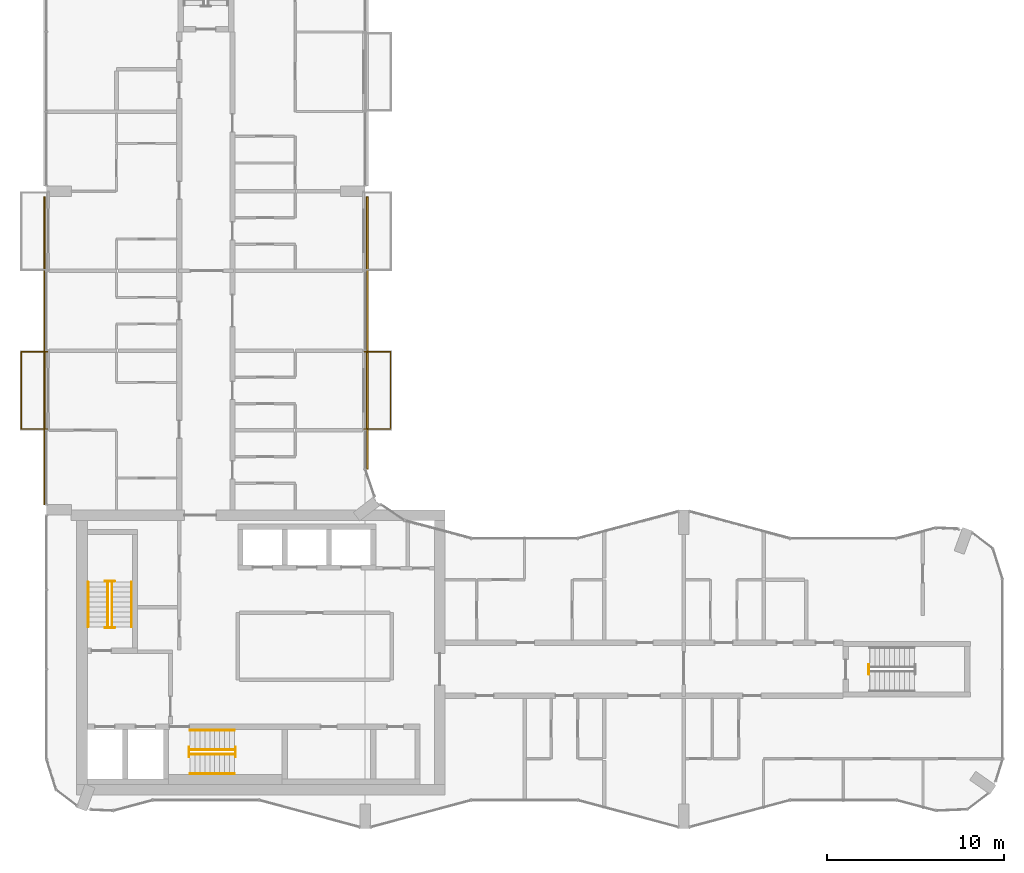
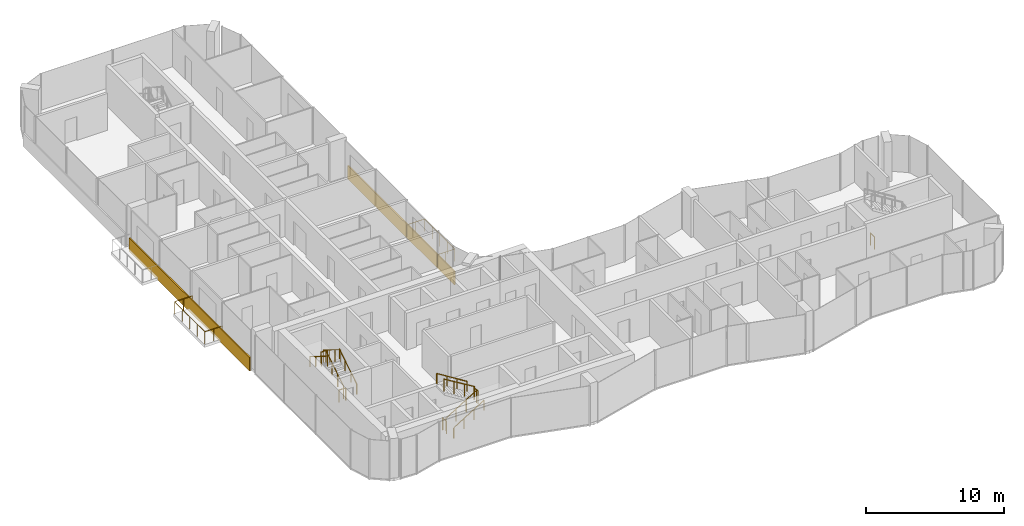
# One storey, part 15 of 17: 15 railings, 2 coverings.
"""IFC4 building model written with IfcOpenShell, lengths in metres."""

from ifc_helpers import new_model, si_unit, direction, frame, origin, origin_2d, place, context, subcontext, project, spatial, rectangle, circle, extrude, material, layer, layer_set, type_object, element, save


model = new_model("IFC4")

# Units and contexts
model_context = context("Model", 3, precision=1e-05, world=origin(), true_north=direction((0.0, 1.0)))
body_context = subcontext(model_context, "Body", "Model", "MODEL_VIEW")
ifc_project = project(units=[si_unit("LENGTHUNIT", "METRE"), si_unit("AREAUNIT", "SQUARE_METRE"), si_unit("VOLUMEUNIT", "CUBIC_METRE"), si_unit("PLANEANGLEUNIT", "RADIAN"), si_unit("MASSUNIT", "GRAM", prefix="KILO")], contexts=[model_context])

# Site, building, storey
site_placement = place(None, origin())
site = spatial("IfcSite", under=ifc_project, at=site_placement, CompositionType="ELEMENT")
building_placement = place(site_placement, origin())
building = spatial("IfcBuilding", under=site, at=building_placement, Name="Plateau Cross Towers", CompositionType="ELEMENT")
storey_placement = place(building_placement, frame((0.0, 0.0, 146.39990234375)))
storey = spatial("IfcBuildingStorey", under=building, at=storey_placement, Name="L37", CompositionType="ELEMENT", Elevation=146.39990234375)

# Railings
ifc_material_1 = material(Name="Stainless steel and toughened glass", Category="steel")
railing_type_1 = type_object("IfcRailingType", Name="Glass balustrade guard 1100", PredefinedType="GUARDRAIL", material=ifc_material_1)
railing_1_placement = place(storey_placement, frame((0.050048828125, 22.570068359375, 0.0)))
element("IfcRailing", 1, at=railing_1_placement, inside=storey, type_object=railing_type_1, Name="Guard guard1", PredefinedType="GUARDRAIL", context=body_context, shape_type="SweptSolid", body=[
    extrude(circle(Radius=0.02392578125, at=origin_2d()), frame((0.0, 0.0, 1.076171875), z_axis=(-1.0, 0.0, 0.0), x_axis=(0.0, -1.0, 0.0)), (0.0, 0.0, 1.0), 1.47998046875),
    extrude(circle(Radius=0.02392578125, at=origin_2d()), frame((-1.47998046875, 0.0, 1.076171875), z_axis=(0.0, 1.0, 0.0), x_axis=(-1.0, 0.0, 0.0)), (0.0, 0.0, 1.0), 4.35986328125),
    extrude(circle(Radius=0.02392578125, at=origin_2d()), frame((-1.47998046875, 4.35986328125, 1.076171875), z_axis=(1.0, 0.0, 0.0), x_axis=(0.0, 1.0, 0.0)), (0.0, 0.0, 1.0), 1.47998046875),
    extrude(circle(Radius=0.02099609375, at=origin_2d()), origin(), (0.0, 0.0, 1.0), 1.052001953125),
    extrude(circle(Radius=0.02099609375, at=origin_2d()), frame((-0.739990234375, 0.0, 0.0)), (0.0, 0.0, 1.0), 1.052001953125),
    extrude(circle(Radius=0.02099609375, at=origin_2d()), frame((-1.47998046875, 0.0, 0.0)), (0.0, 0.0, 1.0), 1.052001953125),
    extrude(circle(Radius=0.02099609375, at=origin_2d()), frame((-1.47998046875, 1.08984375, 0.0)), (0.0, 0.0, 1.0), 1.052001953125),
    extrude(circle(Radius=0.02099609375, at=origin_2d()), frame((-1.47998046875, 2.179931640625, 0.0)), (0.0, 0.0, 1.0), 1.052001953125),
    extrude(circle(Radius=0.02099609375, at=origin_2d()), frame((-1.47998046875, 3.27001953125, 0.0)), (0.0, 0.0, 1.0), 1.052001953125),
    extrude(circle(Radius=0.02099609375, at=origin_2d()), frame((-1.47998046875, 4.35986328125, 0.0)), (0.0, 0.0, 1.0), 1.052001953125),
    extrude(circle(Radius=0.02099609375, at=origin_2d()), frame((-0.739990234375, 4.35986328125, 0.0)), (0.0, 0.0, 1.0), 1.052001953125),
    extrude(circle(Radius=0.02099609375, at=origin_2d()), frame((0.0, 4.35986328125, 0.0)), (0.0, 0.0, 1.0), 1.052001953125),
])
railing_2_placement = place(storey_placement, frame((17.949951171875, 26.929931640625, 0.0)))
element("IfcRailing", 2, at=railing_2_placement, inside=storey, type_object=railing_type_1, Name="Guard guard1", PredefinedType="GUARDRAIL", context=body_context, shape_type="SweptSolid", body=[
    extrude(circle(Radius=0.02392578125, at=origin_2d()), frame((0.0, 0.0, 1.076171875), z_axis=(1.0, 0.0, 0.0), x_axis=(0.0, 1.0, 0.0)), (0.0, 0.0, 1.0), 1.47998046875),
    extrude(circle(Radius=0.02392578125, at=origin_2d()), frame((1.47998046875, 0.0, 1.076171875), z_axis=(0.0, -1.0, 0.0), x_axis=(1.0, 0.0, 0.0)), (0.0, 0.0, 1.0), 4.35986328125),
    extrude(circle(Radius=0.02392578125, at=origin_2d()), frame((1.47998046875, -4.35986328125, 1.076171875), z_axis=(-1.0, 0.0, 0.0), x_axis=(0.0, -1.0, 0.0)), (0.0, 0.0, 1.0), 1.47998046875),
    extrude(circle(Radius=0.02099609375, at=origin_2d()), origin(), (0.0, 0.0, 1.0), 1.052001953125),
    extrude(circle(Radius=0.02099609375, at=origin_2d()), frame((0.739990234375, 0.0, 0.0)), (0.0, 0.0, 1.0), 1.052001953125),
    extrude(circle(Radius=0.02099609375, at=origin_2d()), frame((1.47998046875, 0.0, 0.0)), (0.0, 0.0, 1.0), 1.052001953125),
    extrude(circle(Radius=0.02099609375, at=origin_2d()), frame((1.47998046875, -1.08984375, 0.0)), (0.0, 0.0, 1.0), 1.052001953125),
    extrude(circle(Radius=0.02099609375, at=origin_2d()), frame((1.47998046875, -2.179931640625, 0.0)), (0.0, 0.0, 1.0), 1.052001953125),
    extrude(circle(Radius=0.02099609375, at=origin_2d()), frame((1.47998046875, -3.27001953125, 0.0)), (0.0, 0.0, 1.0), 1.052001953125),
    extrude(circle(Radius=0.02099609375, at=origin_2d()), frame((1.47998046875, -4.35986328125, 0.0)), (0.0, 0.0, 1.0), 1.052001953125),
    extrude(circle(Radius=0.02099609375, at=origin_2d()), frame((0.739990234375, -4.35986328125, 0.0)), (0.0, 0.0, 1.0), 1.052001953125),
    extrude(circle(Radius=0.02099609375, at=origin_2d()), frame((0.0, -4.35986328125, 0.0)), (0.0, 0.0, 1.0), 1.052001953125),
])
railing_type_2 = type_object("IfcRailingType", Name="RL-GUARD-1100", PredefinedType="GUARDRAIL", material=ifc_material_1)
railing_3_placement = place(storey_placement, frame((3.699951171875, 11.39990234375, 0.175048828125)))
element("IfcRailing", 3, at=railing_3_placement, inside=storey, type_object=railing_type_2, Name="L37 ST-1 stair guard 1", PredefinedType="GUARDRAIL", context=body_context, shape_type="SweptSolid", body=[
    extrude(circle(Radius=0.02392578125, at=origin_2d()), frame((0.0, 0.0, 1.076171875), z_axis=(0.0, 0.848007534815, 0.529984170421), x_axis=(-1.0, 0.0, 0.0)), (0.0, 0.0, 1.0), 2.9716796875),
    extrude(circle(Radius=0.02099609375, at=origin_2d()), origin(), (0.0, 0.0, 1.0), 1.052001953125),
    extrude(circle(Radius=0.02099609375, at=origin_2d()), frame((0.0, 0.840087890625, 0.52490234375)), (0.0, 0.0, 1.0), 1.052001953125),
    extrude(circle(Radius=0.02099609375, at=origin_2d()), frame((0.0, 1.679931640625, 1.050048828125)), (0.0, 0.0, 1.0), 1.052001953125),
    extrude(circle(Radius=0.02099609375, at=origin_2d()), frame((0.0, 2.52001953125, 1.574951171875)), (0.0, 0.0, 1.0), 1.052001953125),
])
railing_4_placement = place(storey_placement, frame((3.85009765625, 13.969970703125, 1.75)))
element("IfcRailing", 4, at=railing_4_placement, inside=storey, type_object=railing_type_2, Name="L37 ST-1 stair guard 2", PredefinedType="GUARDRAIL", context=body_context, shape_type="SweptSolid", body=[
    extrude(circle(Radius=0.02392578125, at=origin_2d()), frame((0.0, 0.0, 1.076171875), z_axis=(-1.0, 0.0, 0.0), x_axis=(0.0, -1.0, 0.0)), (0.0, 0.0, 1.0), 0.550048828125),
    extrude(circle(Radius=0.02099609375, at=origin_2d()), origin(), (0.0, 0.0, 1.0), 1.052001953125),
    extrude(circle(Radius=0.02099609375, at=origin_2d()), frame((-0.550048828125, 0.0, 0.0)), (0.0, 0.0, 1.0), 1.052001953125),
])
railing_5_placement = place(storey_placement, frame((3.449951171875, 13.919921875, 1.925048828125)))
element("IfcRailing", 5, at=railing_5_placement, inside=storey, type_object=railing_type_2, Name="L37 ST-1 stair guard 3", PredefinedType="GUARDRAIL", context=body_context, shape_type="SweptSolid", body=[
    extrude(circle(Radius=0.02392578125, at=origin_2d()), frame((0.0, 0.0, 1.076171875), z_axis=(0.0, -0.852616386126, 0.522537365276), x_axis=(1.0, 0.0, 0.0)), (0.0, 0.0, 1.0), 3.01416015625),
    extrude(circle(Radius=0.02099609375, at=origin_2d()), origin(), (0.0, 0.0, 1.0), 1.052001953125),
    extrude(circle(Radius=0.02099609375, at=origin_2d()), frame((0.0, -0.856689453125, 0.52490234375)), (0.0, 0.0, 1.0), 1.052001953125),
    extrude(circle(Radius=0.02099609375, at=origin_2d()), frame((0.0, -1.713134765625, 1.050048828125)), (0.0, 0.0, 1.0), 1.052001953125),
    extrude(circle(Radius=0.02099609375, at=origin_2d()), frame((0.0, -2.56982421875, 1.574951171875)), (0.0, 0.0, 1.0), 1.052001953125),
])
railing_6_placement = place(storey_placement, frame((3.85009765625, 11.35009765625, 0.0)))
element("IfcRailing", 6, at=railing_6_placement, inside=storey, type_object=railing_type_2, Name="L37 ST-1 stair guard 4", PredefinedType="GUARDRAIL", context=body_context, shape_type="SweptSolid", body=[
    extrude(circle(Radius=0.02392578125, at=origin_2d()), frame((0.0, 0.0, 1.076171875), z_axis=(-1.0, 0.0, 0.0), x_axis=(0.0, -1.0, 0.0)), (0.0, 0.0, 1.0), 0.550048828125),
    extrude(circle(Radius=0.02099609375, at=origin_2d()), origin(), (0.0, 0.0, 1.0), 1.052001953125),
    extrude(circle(Radius=0.02099609375, at=origin_2d()), frame((-0.550048828125, 0.0, 0.0)), (0.0, 0.0, 1.0), 1.052001953125),
])
railing_7_placement = place(storey_placement, frame((8.10009765625, 4.199951171875, 0.175048828125)))
element("IfcRailing", 7, at=railing_7_placement, inside=storey, type_object=railing_type_2, Name="L37 ST-2 stair guard 1", PredefinedType="GUARDRAIL", context=body_context, shape_type="SweptSolid", body=[
    extrude(circle(Radius=0.02392578125, at=origin_2d()), frame((0.0, 0.0, 1.076171875), z_axis=(0.848007534815, 0.0, 0.529984170421), x_axis=(0.0, 1.0, 0.0)), (0.0, 0.0, 1.0), 2.9716796875),
    extrude(circle(Radius=0.02099609375, at=origin_2d()), origin(), (0.0, 0.0, 1.0), 1.052001953125),
    extrude(circle(Radius=0.02099609375, at=origin_2d()), frame((0.840087890625, 0.0, 0.52490234375)), (0.0, 0.0, 1.0), 1.052001953125),
    extrude(circle(Radius=0.02099609375, at=origin_2d()), frame((1.679931640625, 0.0, 1.050048828125)), (0.0, 0.0, 1.0), 1.052001953125),
    extrude(circle(Radius=0.02099609375, at=origin_2d()), frame((2.52001953125, 0.0, 1.574951171875)), (0.0, 0.0, 1.0), 1.052001953125),
])
railing_8_placement = place(storey_placement, frame((10.669921875, 4.050048828125, 1.75)))
element("IfcRailing", 8, at=railing_8_placement, inside=storey, type_object=railing_type_2, Name="L37 ST-2 stair guard 2", PredefinedType="GUARDRAIL", context=body_context, shape_type="SweptSolid", body=[
    extrude(circle(Radius=0.02392578125, at=origin_2d()), frame((0.0, 0.0, 1.076171875), z_axis=(0.0, 1.0, 0.0), x_axis=(-1.0, 0.0, 0.0)), (0.0, 0.0, 1.0), 0.550048828125),
    extrude(circle(Radius=0.02099609375, at=origin_2d()), origin(), (0.0, 0.0, 1.0), 1.052001953125),
    extrude(circle(Radius=0.02099609375, at=origin_2d()), frame((0.0, 0.550048828125, 0.0)), (0.0, 0.0, 1.0), 1.052001953125),
])
railing_9_placement = place(storey_placement, frame((10.6201171875, 4.449951171875, 1.925048828125)))
element("IfcRailing", 9, at=railing_9_placement, inside=storey, type_object=railing_type_2, Name="L37 ST-2 stair guard 3", PredefinedType="GUARDRAIL", context=body_context, shape_type="SweptSolid", body=[
    extrude(circle(Radius=0.02392578125, at=origin_2d()), frame((0.0, 0.0, 1.076171875), z_axis=(-0.852638500773, 0.0, 0.522501279423), x_axis=(0.0, -1.0, 0.0)), (0.0, 0.0, 1.0), 3.01416015625),
    extrude(circle(Radius=0.02099609375, at=origin_2d()), origin(), (0.0, 0.0, 1.0), 1.052001953125),
    extrude(circle(Radius=0.02099609375, at=origin_2d()), frame((-0.856689453125, 0.0, 0.52490234375)), (0.0, 0.0, 1.0), 1.052001953125),
    extrude(circle(Radius=0.02099609375, at=origin_2d()), frame((-1.71337890625, 0.0, 1.050048828125)), (0.0, 0.0, 1.0), 1.052001953125),
    extrude(circle(Radius=0.02099609375, at=origin_2d()), frame((-2.570068359375, 0.0, 1.574951171875)), (0.0, 0.0, 1.0), 1.052001953125),
])
railing_10_placement = place(storey_placement, frame((8.050048828125, 4.050048828125, 0.0)))
element("IfcRailing", 10, at=railing_10_placement, inside=storey, type_object=railing_type_2, Name="L37 ST-2 stair guard 4", PredefinedType="GUARDRAIL", context=body_context, shape_type="SweptSolid", body=[
    extrude(circle(Radius=0.02392578125, at=origin_2d()), frame((0.0, 0.0, 1.076171875), z_axis=(0.0, 1.0, 0.0), x_axis=(-1.0, 0.0, 0.0)), (0.0, 0.0, 1.0), 0.550048828125),
    extrude(circle(Radius=0.02099609375, at=origin_2d()), origin(), (0.0, 0.0, 1.0), 1.052001953125),
    extrude(circle(Radius=0.02099609375, at=origin_2d()), frame((0.0, 0.550048828125, 0.0)), (0.0, 0.0, 1.0), 1.052001953125),
])
railing_11_placement = place(storey_placement, frame((46.449951171875, 8.72509765625, 0.0)))
element("IfcRailing", 11, at=railing_11_placement, inside=storey, type_object=railing_type_2, Name="L37 ES-E stair guard 4", PredefinedType="GUARDRAIL", context=body_context, shape_type="SweptSolid", body=[
    extrude(circle(Radius=0.02392578125, at=origin_2d()), frame((0.0, 0.0, 1.076171875), z_axis=(0.0, 1.0, 0.0), x_axis=(-1.0, 0.0, 0.0)), (0.0, 0.0, 1.0), 0.5498046875),
    extrude(circle(Radius=0.02099609375, at=origin_2d()), origin(), (0.0, 0.0, 1.0), 1.052001953125),
    extrude(circle(Radius=0.02099609375, at=origin_2d()), frame((0.0, 0.5498046875, 0.0)), (0.0, 0.0, 1.0), 1.052001953125),
])
ifc_material_2 = material(Name="Black anodised aluminium", Category="aluminium")
railing_type_3 = type_object("IfcRailingType", Name="RL-HANDRAIL-900", PredefinedType="HANDRAIL", material=ifc_material_2)
railing_12_placement = place(storey_placement, frame((4.800048828125, 11.39990234375, 0.175048828125)))
element("IfcRailing", 12, at=railing_12_placement, inside=storey, type_object=railing_type_3, Name="L37 ST-1 stair handrail 1", PredefinedType="HANDRAIL", context=body_context, shape_type="SweptSolid", body=[
    extrude(circle(Radius=0.02392578125, at=origin_2d()), frame((0.0, 0.0, 0.8759765625), z_axis=(0.0, 0.848007534815, 0.529984170421), x_axis=(-1.0, 0.0, 0.0)), (0.0, 0.0, 1.0), 2.9716796875),
    extrude(circle(Radius=0.02099609375, at=origin_2d()), origin(), (0.0, 0.0, 1.0), 0.851806640625),
    extrude(circle(Radius=0.02099609375, at=origin_2d()), frame((0.0, 0.840087890625, 0.52490234375)), (0.0, 0.0, 1.0), 0.851806640625),
    extrude(circle(Radius=0.02099609375, at=origin_2d()), frame((0.0, 1.679931640625, 1.050048828125)), (0.0, 0.0, 1.0), 0.851806640625),
    extrude(circle(Radius=0.02099609375, at=origin_2d()), frame((0.0, 2.52001953125, 1.574951171875)), (0.0, 0.0, 1.0), 0.851806640625),
])
railing_13_placement = place(storey_placement, frame((2.35009765625, 13.919921875, 1.925048828125)))
element("IfcRailing", 13, at=railing_13_placement, inside=storey, type_object=railing_type_3, Name="L37 ST-1 stair handrail 2", PredefinedType="HANDRAIL", context=body_context, shape_type="SweptSolid", body=[
    extrude(circle(Radius=0.02392578125, at=origin_2d()), frame((0.0, 0.0, 0.8759765625), z_axis=(0.0, -0.848007534815, 0.529984170421), x_axis=(1.0, 0.0, 0.0)), (0.0, 0.0, 1.0), 2.9716796875),
    extrude(circle(Radius=0.02099609375, at=origin_2d()), origin(), (0.0, 0.0, 1.0), 0.851806640625),
    extrude(circle(Radius=0.02099609375, at=origin_2d()), frame((0.0, -0.840087890625, 0.52490234375)), (0.0, 0.0, 1.0), 0.851806640625),
    extrude(circle(Radius=0.02099609375, at=origin_2d()), frame((0.0, -1.679931640625, 1.050048828125)), (0.0, 0.0, 1.0), 0.851806640625),
    extrude(circle(Radius=0.02099609375, at=origin_2d()), frame((0.0, -2.52001953125, 1.574951171875)), (0.0, 0.0, 1.0), 0.851806640625),
])
railing_14_placement = place(storey_placement, frame((8.10009765625, 3.10009765625, 0.175048828125)))
element("IfcRailing", 14, at=railing_14_placement, inside=storey, type_object=railing_type_3, Name="L37 ST-2 stair handrail 1", PredefinedType="HANDRAIL", context=body_context, shape_type="SweptSolid", body=[
    extrude(circle(Radius=0.02392578125, at=origin_2d()), frame((0.0, 0.0, 0.8759765625), z_axis=(0.848007534815, 0.0, 0.529984170421), x_axis=(0.0, 1.0, 0.0)), (0.0, 0.0, 1.0), 2.9716796875),
    extrude(circle(Radius=0.02099609375, at=origin_2d()), origin(), (0.0, 0.0, 1.0), 0.851806640625),
    extrude(circle(Radius=0.02099609375, at=origin_2d()), frame((0.840087890625, 0.0, 0.52490234375)), (0.0, 0.0, 1.0), 0.851806640625),
    extrude(circle(Radius=0.02099609375, at=origin_2d()), frame((1.679931640625, 0.0, 1.050048828125)), (0.0, 0.0, 1.0), 0.851806640625),
    extrude(circle(Radius=0.02099609375, at=origin_2d()), frame((2.52001953125, 0.0, 1.574951171875)), (0.0, 0.0, 1.0), 0.851806640625),
])
railing_15_placement = place(storey_placement, frame((10.6201171875, 5.550048828125, 1.925048828125)))
element("IfcRailing", 15, at=railing_15_placement, inside=storey, type_object=railing_type_3, Name="L37 ST-2 stair handrail 2", PredefinedType="HANDRAIL", context=body_context, shape_type="SweptSolid", body=[
    extrude(circle(Radius=0.02392578125, at=origin_2d()), frame((0.0, 0.0, 0.8759765625), z_axis=(-0.848007534815, 0.0, 0.529984170421), x_axis=(0.0, -1.0, 0.0)), (0.0, 0.0, 1.0), 2.9716796875),
    extrude(circle(Radius=0.02099609375, at=origin_2d()), origin(), (0.0, 0.0, 1.0), 0.851806640625),
    extrude(circle(Radius=0.02099609375, at=origin_2d()), frame((-0.840087890625, 0.0, 0.52490234375)), (0.0, 0.0, 1.0), 0.851806640625),
    extrude(circle(Radius=0.02099609375, at=origin_2d()), frame((-1.679931640625, 0.0, 1.050048828125)), (0.0, 0.0, 1.0), 0.851806640625),
    extrude(circle(Radius=0.02099609375, at=origin_2d()), frame((-2.52001953125, 0.0, 1.574951171875)), (0.0, 0.0, 1.0), 0.851806640625),
])

# Coverings
ifc_material_3 = material(Name="Precast concrete cladding C40/50", Category="concrete")
ifc_layer = layer(ifc_material_3, 0.10009765625)
ifc_layer_set = layer_set([ifc_layer], Name="Precast concrete cladding C40/50")
covering_type = type_object("IfcCoveringType", Name="Spandrel band cladding 100x1200", PredefinedType="CLADDING", material=ifc_layer_set)
covering_1_placement = place(storey_placement, frame((18.1201171875, 28.001220703125, -0.25), z_axis=(0.0, 0.0, 1.0), x_axis=(0.0, 1.0, 0.0)))
element("IfcCovering", 16, at=covering_1_placement, inside=storey, type_object=covering_type, Name="Spandrel band", PredefinedType="CLADDING", context=body_context, shape_type="SweptSolid", body=[
    extrude(rectangle(XDim=15.397705078125, YDim=0.10009765625, at=origin_2d()), origin(), (0.0, 0.0, 1.0), 1.199951171875),
])
covering_2_placement = place(storey_placement, frame((-0.1201171875, 27.0, -0.25), z_axis=(0.0, 0.0, 1.0), x_axis=(0.0, -1.0, 0.0)))
element("IfcCovering", 17, at=covering_2_placement, inside=storey, type_object=covering_type, Name="Spandrel band", PredefinedType="CLADDING", context=body_context, shape_type="SweptSolid", body=[
    extrude(rectangle(XDim=17.39990234375, YDim=0.10009765625, at=origin_2d()), origin(), (0.0, 0.0, 1.0), 1.199951171875),
])

save(model, "model.ifc")
